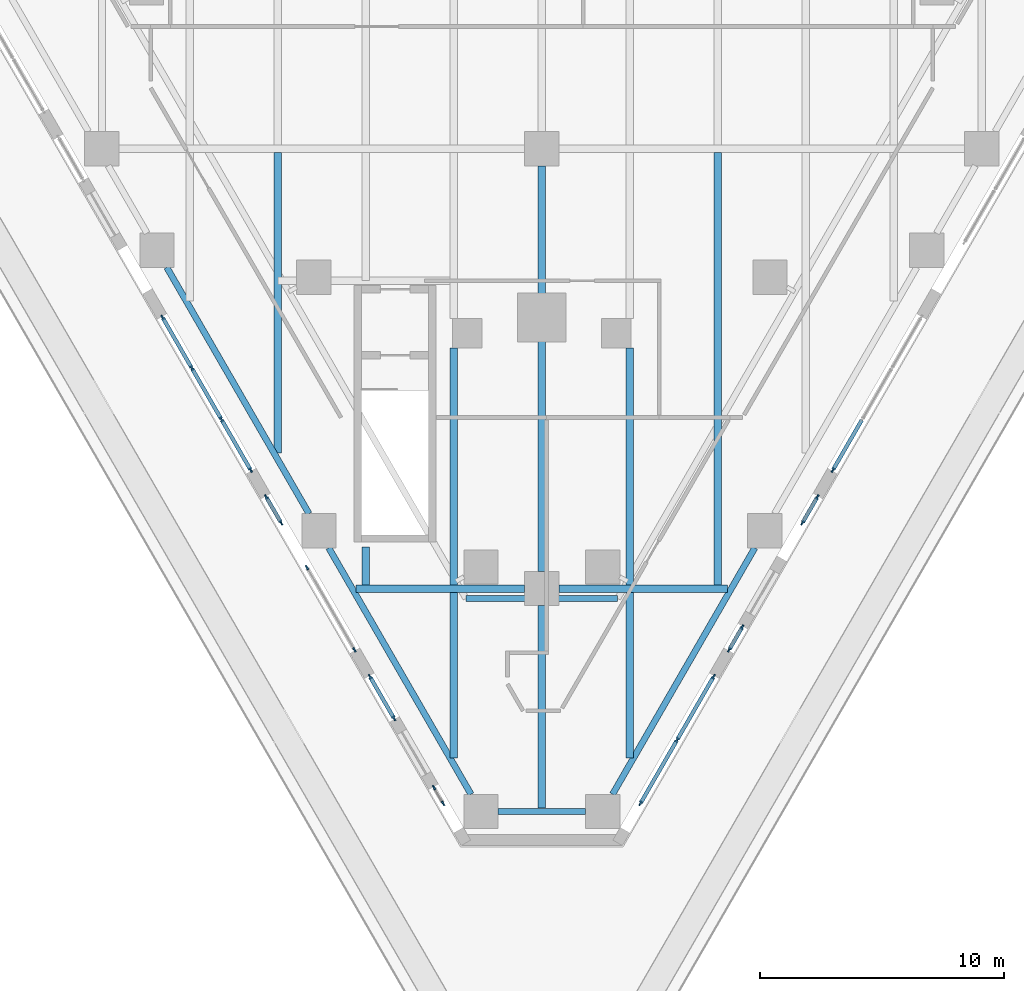
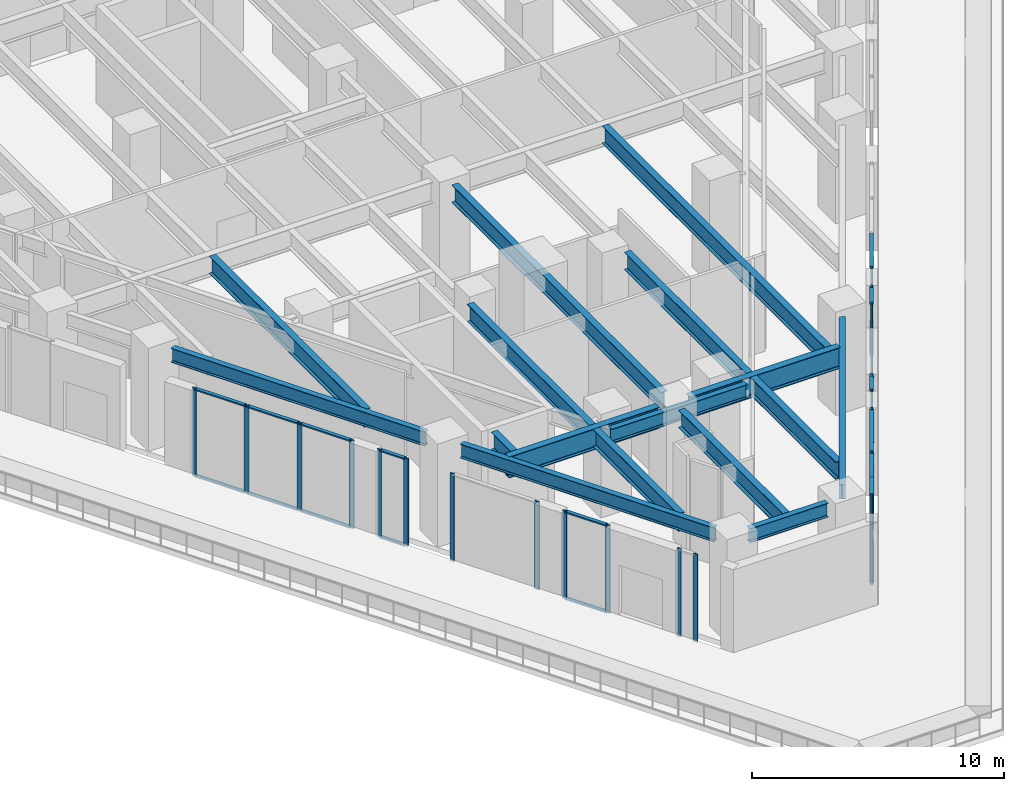
# One storey, part 2 of 31: 40 members, 16 beams, 9 elements without a shape of their own.
"""IFC4 building model written with IfcOpenShell, lengths in metres."""

from ifc_helpers import new_model, si_unit, direction, frame, origin, origin_2d, place, context, subcontext, project, spatial, rectangle, i_section, extrude, material, material_profile, profile_set, type_object, element, aggregate, save


model = new_model("IFC4")

# Units and contexts
model_context = context("Model", 3, precision=1e-05, world=origin(), true_north=direction((0.0, 1.0)))
body_context = subcontext(model_context, "Body", "Model", "MODEL_VIEW")
ifc_project = project(units=[si_unit("LENGTHUNIT", "METRE"), si_unit("AREAUNIT", "SQUARE_METRE"), si_unit("VOLUMEUNIT", "CUBIC_METRE"), si_unit("PLANEANGLEUNIT", "RADIAN"), si_unit("MASSUNIT", "GRAM", prefix="KILO")], contexts=[model_context])

# Site, building, storey
site_placement = place(None, origin())
site = spatial("IfcSite", under=ifc_project, at=site_placement, CompositionType="ELEMENT")
building_placement = place(site_placement, origin())
building = spatial("IfcBuilding", under=site, at=building_placement, Name="Aloe Facet Convention Tower", CompositionType="ELEMENT")
storey_placement = place(building_placement, frame((0.0, 0.0, 25.0)))
storey = spatial("IfcBuildingStorey", under=building, at=storey_placement, Name="L04", CompositionType="ELEMENT", Elevation=25.0)

# Beam
ifc_material_1 = material(Name="Steel S355", Category="steel")
ifc_material_profile_1 = material_profile(ifc_material_1, i_section(OverallWidth=0.25439453125, OverallDepth=0.6875, WebThickness=0.01318359375, FlangeThickness=0.02099609375, FilletRadius=0.01513671875, at=origin_2d()), Name="UB 686x254x152")
ifc_profile_set_1 = profile_set([ifc_material_profile_1], Name="Steel S355")
beam_type_1 = type_object("IfcBeamType", Name="EV-EB-UB686x254x152", PredefinedType="BEAM", material=ifc_profile_set_1)
beam_1_placement = place(storey_placement, frame((76.89501953125, 80.598876953125, 4.356201171875), z_axis=(1.0, 0.0, 0.0), x_axis=(0.0, 1.0, 0.0)))
element("IfcBeam", 1, at=beam_1_placement, inside=storey, type_object=beam_type_1, Name="EB-L05-B", PredefinedType="BEAM", context=body_context, shape_type="SweptSolid", body=[
    extrude(i_section(OverallWidth=0.25439453125, OverallDepth=0.6875, WebThickness=0.01318359375, FlangeThickness=0.02099609375, FilletRadius=0.01513671875, at=origin_2d()), origin(), (0.0, 0.0, 1.0), 6.2099609375),
])

# Curtain wall, members
ifc_material_2 = material(Name="Aluminium, anodised", Category="aluminium")
curtain_wall_type = type_object("IfcCurtainWallType", Name="EV-CW-HALL", PredefinedType="USERDEFINED", material=ifc_material_2)
curtain_wall_1_placement = place(storey_placement, origin())
curtain_wall_1 = element("IfcCurtainWall", 2, at=curtain_wall_1_placement, inside=storey, type_object=curtain_wall_type, Name="CW-L04-W12", ObjectType="UNITISED HALL GLAZING", PredefinedType="USERDEFINED")
ifc_material_3 = material(Name="Aluminium, anodised", Category="aluminium")
ifc_material_profile_2 = material_profile(ifc_material_3, rectangle(XDim=0.06494140625, YDim=0.199951171875, at=origin_2d()), Name="AL 65x200")
ifc_profile_set_2 = profile_set([ifc_material_profile_2], Name="Aluminium, anodised")
member_type_1 = type_object("IfcMemberType", Name="EV-MULL-HALL", PredefinedType="MULLION", material=ifc_profile_set_2)
member_1_placement = place(storey_placement, frame((64.48095703125, 92.100341796875, -0.25), z_axis=(0.0, 0.0, 1.0), x_axis=(0.866025403793, 0.499999999985, 0.0)))
member_1 = element("IfcMember", 3, at=member_1_placement, type_object=member_type_1, Name="CW-L04-W12 mullion 1", PredefinedType="MULLION", context=body_context, shape_type="SweptSolid", body=[
    extrude(rectangle(XDim=0.06494140625, YDim=0.199951171875, at=origin_2d()), origin(), (0.0, 0.0, 1.0), 4.262451171875),
])
member_2_placement = place(storey_placement, frame((65.67919921875, 90.02490234375, -0.25), z_axis=(0.0, 0.0, 1.0), x_axis=(0.866025403793, 0.499999999985, 0.0)))
member_2 = element("IfcMember", 4, at=member_2_placement, type_object=member_type_1, Name="CW-L04-W12 mullion 2", PredefinedType="MULLION", context=body_context, shape_type="SweptSolid", body=[
    extrude(rectangle(XDim=0.06494140625, YDim=0.199951171875, at=origin_2d()), origin(), (0.0, 0.0, 1.0), 4.262451171875),
])
member_3_placement = place(storey_placement, frame((66.8935546875, 87.92138671875, -0.25), z_axis=(0.0, 0.0, 1.0), x_axis=(0.866025403793, 0.499999999985, 0.0)))
member_3 = element("IfcMember", 5, at=member_3_placement, type_object=member_type_1, Name="CW-L04-W12 mullion 3", PredefinedType="MULLION", context=body_context, shape_type="SweptSolid", body=[
    extrude(rectangle(XDim=0.06494140625, YDim=0.199951171875, at=origin_2d()), origin(), (0.0, 0.0, 1.0), 4.262451171875),
])
member_4_placement = place(storey_placement, frame((68.091796875, 85.845947265625, -0.25), z_axis=(0.0, 0.0, 1.0), x_axis=(0.866025403793, 0.499999999985, 0.0)))
member_4 = element("IfcMember", 6, at=member_4_placement, type_object=member_type_1, Name="CW-L04-W12 mullion 4", PredefinedType="MULLION", context=body_context, shape_type="SweptSolid", body=[
    extrude(rectangle(XDim=0.06494140625, YDim=0.199951171875, at=origin_2d()), origin(), (0.0, 0.0, 1.0), 4.262451171875),
])

curtain_wall_2_placement = place(storey_placement, origin())
curtain_wall_2 = element("IfcCurtainWall", 7, at=curtain_wall_2_placement, inside=storey, type_object=curtain_wall_type, Name="CW-L04-W14-1", ObjectType="UNITISED HALL GLAZING", PredefinedType="USERDEFINED")
member_5_placement = place(storey_placement, frame((68.724365234375, 84.75048828125, -0.25), z_axis=(0.0, 0.0, 1.0), x_axis=(0.866025403942, 0.499999999728, 0.0)))
member_5 = element("IfcMember", 8, at=member_5_placement, type_object=member_type_1, Name="CW-L04-W14-1 mullion 1", PredefinedType="MULLION", context=body_context, shape_type="SweptSolid", body=[
    extrude(rectangle(XDim=0.06494140625, YDim=0.199951171875, at=origin_2d()), origin(), (0.0, 0.0, 1.0), 4.262451171875),
])
member_6_placement = place(storey_placement, frame((69.33447265625, 83.693603515625, -0.25), z_axis=(0.0, 0.0, 1.0), x_axis=(0.866025403942, 0.499999999728, 0.0)))
member_6 = element("IfcMember", 9, at=member_6_placement, type_object=member_type_1, Name="CW-L04-W14-1 mullion 2", PredefinedType="MULLION", context=body_context, shape_type="SweptSolid", body=[
    extrude(rectangle(XDim=0.06494140625, YDim=0.199951171875, at=origin_2d()), origin(), (0.0, 0.0, 1.0), 4.262451171875),
])

curtain_wall_3_placement = place(storey_placement, origin())
curtain_wall_3 = element("IfcCurtainWall", 10, at=curtain_wall_3_placement, inside=storey, type_object=curtain_wall_type, Name="CW-L04-W14-2", ObjectType="UNITISED HALL GLAZING", PredefinedType="USERDEFINED")
member_7_placement = place(storey_placement, frame((70.3916015625, 81.86279296875, -0.25), z_axis=(0.0, 0.0, 1.0), x_axis=(0.866025403758, 0.500000000045, 0.0)))
member_7 = element("IfcMember", 11, at=member_7_placement, type_object=member_type_1, Name="CW-L04-W14-2 mullion 1", PredefinedType="MULLION", context=body_context, shape_type="SweptSolid", body=[
    extrude(rectangle(XDim=0.06494140625, YDim=0.199951171875, at=origin_2d()), origin(), (0.0, 0.0, 1.0), 4.262451171875),
])
member_8_placement = place(storey_placement, frame((72.335205078125, 78.496337890625, -0.25), z_axis=(0.0, 0.0, 1.0), x_axis=(0.866025403758, 0.500000000045, 0.0)))
member_8 = element("IfcMember", 12, at=member_8_placement, type_object=member_type_1, Name="CW-L04-W14-2 mullion 2", PredefinedType="MULLION", context=body_context, shape_type="SweptSolid", body=[
    extrude(rectangle(XDim=0.06494140625, YDim=0.199951171875, at=origin_2d()), origin(), (0.0, 0.0, 1.0), 4.262451171875),
])
aggregate(curtain_wall_3, [member_7, member_8])

curtain_wall_4_placement = place(storey_placement, origin())
curtain_wall_4 = element("IfcCurtainWall", 13, at=curtain_wall_4_placement, inside=storey, type_object=curtain_wall_type, Name="CW-L04-W16A", ObjectType="UNITISED HALL GLAZING", PredefinedType="USERDEFINED")
member_9_placement = place(storey_placement, frame((72.9677734375, 77.40087890625, -0.25), z_axis=(0.0, 0.0, 1.0), x_axis=(0.866025403854, 0.499999999879, 0.0)))
member_9 = element("IfcMember", 14, at=member_9_placement, type_object=member_type_1, Name="CW-L04-W16A mullion 1", PredefinedType="MULLION", context=body_context, shape_type="SweptSolid", body=[
    extrude(rectangle(XDim=0.06494140625, YDim=0.199951171875, at=origin_2d()), origin(), (0.0, 0.0, 1.0), 4.262451171875),
])
member_10_placement = place(storey_placement, frame((73.95703125, 75.6875, -0.25), z_axis=(0.0, 0.0, 1.0), x_axis=(0.866025403854, 0.499999999879, 0.0)))
member_10 = element("IfcMember", 15, at=member_10_placement, type_object=member_type_1, Name="CW-L04-W16A mullion 2", PredefinedType="MULLION", context=body_context, shape_type="SweptSolid", body=[
    extrude(rectangle(XDim=0.06494140625, YDim=0.199951171875, at=origin_2d()), origin(), (0.0, 0.0, 1.0), 4.262451171875),
])

curtain_wall_5_placement = place(storey_placement, origin())
curtain_wall_5 = element("IfcCurtainWall", 16, at=curtain_wall_5_placement, inside=storey, type_object=curtain_wall_type, Name="CW-L04-W16B", ObjectType="UNITISED HALL GLAZING", PredefinedType="USERDEFINED")
member_11_placement = place(storey_placement, frame((75.58935546875, 72.85986328125, -0.25), z_axis=(0.0, 0.0, 1.0), x_axis=(0.866025403383, 0.500000000695, 0.0)))
member_11 = element("IfcMember", 17, at=member_11_placement, type_object=member_type_1, Name="CW-L04-W16B mullion 1", PredefinedType="MULLION", context=body_context, shape_type="SweptSolid", body=[
    extrude(rectangle(XDim=0.06494140625, YDim=0.199951171875, at=origin_2d()), origin(), (0.0, 0.0, 1.0), 4.262451171875),
])
member_12_placement = place(storey_placement, frame((75.962158203125, 72.214111328125, -0.25), z_axis=(0.0, 0.0, 1.0), x_axis=(0.866025403383, 0.500000000695, 0.0)))
member_12 = element("IfcMember", 18, at=member_12_placement, type_object=member_type_1, Name="CW-L04-W16B mullion 2", PredefinedType="MULLION", context=body_context, shape_type="SweptSolid", body=[
    extrude(rectangle(XDim=0.06494140625, YDim=0.199951171875, at=origin_2d()), origin(), (0.0, 0.0, 1.0), 4.262451171875),
])
aggregate(curtain_wall_5, [member_11, member_12])

curtain_wall_6_placement = place(storey_placement, origin())
curtain_wall_6 = element("IfcCurtainWall", 19, at=curtain_wall_6_placement, inside=storey, type_object=curtain_wall_type, Name="CW-L04-E02", ObjectType="UNITISED HALL GLAZING", PredefinedType="USERDEFINED")
member_13_placement = place(storey_placement, frame((84.037841796875, 72.214111328125, -0.25), z_axis=(0.0, 0.0, 1.0), x_axis=(-0.86602540375, 0.50000000006, 0.0)))
member_13 = element("IfcMember", 20, at=member_13_placement, type_object=member_type_1, Name="CW-L04-E02 mullion 1", PredefinedType="MULLION", context=body_context, shape_type="SweptSolid", body=[
    extrude(rectangle(XDim=0.06494140625, YDim=0.199951171875, at=origin_2d()), origin(), (0.0, 0.0, 1.0), 4.262451171875),
])
member_14_placement = place(storey_placement, frame((85.534912109375, 74.807373046875, -0.25), z_axis=(0.0, 0.0, 1.0), x_axis=(-0.86602540375, 0.50000000006, 0.0)))
member_14 = element("IfcMember", 21, at=member_14_placement, type_object=member_type_1, Name="CW-L04-E02 mullion 2", PredefinedType="MULLION", context=body_context, shape_type="SweptSolid", body=[
    extrude(rectangle(XDim=0.06494140625, YDim=0.199951171875, at=origin_2d()), origin(), (0.0, 0.0, 1.0), 4.262451171875),
])
member_15_placement = place(storey_placement, frame((87.0322265625, 77.40087890625, -0.25), z_axis=(0.0, 0.0, 1.0), x_axis=(-0.86602540375, 0.50000000006, 0.0)))
member_15 = element("IfcMember", 22, at=member_15_placement, type_object=member_type_1, Name="CW-L04-E02 mullion 3", PredefinedType="MULLION", context=body_context, shape_type="SweptSolid", body=[
    extrude(rectangle(XDim=0.06494140625, YDim=0.199951171875, at=origin_2d()), origin(), (0.0, 0.0, 1.0), 4.262451171875),
])

curtain_wall_7_placement = place(storey_placement, origin())
curtain_wall_7 = element("IfcCurtainWall", 23, at=curtain_wall_7_placement, inside=storey, type_object=curtain_wall_type, Name="CW-L04-E04A", ObjectType="UNITISED HALL GLAZING", PredefinedType="USERDEFINED")
member_16_placement = place(storey_placement, frame((87.664794921875, 78.496337890625, -0.25), z_axis=(0.0, 0.0, 1.0), x_axis=(-0.866025403619, 0.500000000287, 0.0)))
member_16 = element("IfcMember", 24, at=member_16_placement, type_object=member_type_1, Name="CW-L04-E04A mullion 1", PredefinedType="MULLION", context=body_context, shape_type="SweptSolid", body=[
    extrude(rectangle(XDim=0.06494140625, YDim=0.199951171875, at=origin_2d()), origin(), (0.0, 0.0, 1.0), 4.262451171875),
])
member_17_placement = place(storey_placement, frame((88.203857421875, 79.43017578125, -0.25), z_axis=(0.0, 0.0, 1.0), x_axis=(-0.866025403619, 0.500000000287, 0.0)))
member_17 = element("IfcMember", 25, at=member_17_placement, type_object=member_type_1, Name="CW-L04-E04A mullion 2", PredefinedType="MULLION", context=body_context, shape_type="SweptSolid", body=[
    extrude(rectangle(XDim=0.06494140625, YDim=0.199951171875, at=origin_2d()), origin(), (0.0, 0.0, 1.0), 4.262451171875),
])

curtain_wall_8_placement = place(storey_placement, origin())
curtain_wall_8 = element("IfcCurtainWall", 26, at=curtain_wall_8_placement, inside=storey, type_object=curtain_wall_type, Name="CW-L04-E04B", ObjectType="UNITISED HALL GLAZING", PredefinedType="USERDEFINED")
member_18_placement = place(storey_placement, frame((90.66552734375, 83.693603515625, -0.25), z_axis=(0.0, 0.0, 1.0), x_axis=(-0.866025403942, 0.499999999728, 0.0)))
member_18 = element("IfcMember", 27, at=member_18_placement, type_object=member_type_1, Name="CW-L04-E04B mullion 1", PredefinedType="MULLION", context=body_context, shape_type="SweptSolid", body=[
    extrude(rectangle(XDim=0.06494140625, YDim=0.199951171875, at=origin_2d()), origin(), (0.0, 0.0, 1.0), 4.262451171875),
])
member_19_placement = place(storey_placement, frame((91.275634765625, 84.75048828125, -0.25), z_axis=(0.0, 0.0, 1.0), x_axis=(-0.866025403942, 0.499999999728, 0.0)))
member_19 = element("IfcMember", 28, at=member_19_placement, type_object=member_type_1, Name="CW-L04-E04B mullion 2", PredefinedType="MULLION", context=body_context, shape_type="SweptSolid", body=[
    extrude(rectangle(XDim=0.06494140625, YDim=0.199951171875, at=origin_2d()), origin(), (0.0, 0.0, 1.0), 4.262451171875),
])

# Curtain wall, member
curtain_wall_9_placement = place(storey_placement, origin())
curtain_wall_9 = element("IfcCurtainWall", 29, at=curtain_wall_9_placement, inside=storey, type_object=curtain_wall_type, Name="CW-L04-E06", ObjectType="UNITISED HALL GLAZING", PredefinedType="USERDEFINED")
member_20_placement = place(storey_placement, frame((91.908203125, 85.845947265625, -0.25), z_axis=(0.0, 0.0, 1.0), x_axis=(-0.866025403793, 0.499999999985, 0.0)))
member_20 = element("IfcMember", 30, at=member_20_placement, type_object=member_type_1, Name="CW-L04-E06 mullion 1", PredefinedType="MULLION", context=body_context, shape_type="SweptSolid", body=[
    extrude(rectangle(XDim=0.06494140625, YDim=0.199951171875, at=origin_2d()), origin(), (0.0, 0.0, 1.0), 4.262451171875),
])

# Member
ifc_material_4 = material(Name="Aluminium, anodised", Category="aluminium")
ifc_material_profile_3 = material_profile(ifc_material_4, rectangle(XDim=0.159912109375, YDim=0.06494140625, at=origin_2d()), Name="AL 160x65")
ifc_profile_set_3 = profile_set([ifc_material_profile_3], Name="Aluminium, anodised")
member_type_2 = type_object("IfcMemberType", Name="EV-TRAN-HALL", PredefinedType="USERDEFINED", material=ifc_profile_set_3)
member_21_placement = place(storey_placement, frame((64.497314453125, 92.072021484375, -0.217529296875), z_axis=(0.499946062176, -0.866056542562, 0.0), x_axis=(0.866056542562, 0.499946062176, 0.0)))
member_21 = element("IfcMember", 31, at=member_21_placement, type_object=member_type_2, Name="CW-L04-W12 transom 1.1", ObjectType="TRANSOM", PredefinedType="USERDEFINED", context=body_context, shape_type="SweptSolid", body=[
    extrude(rectangle(XDim=0.159912109375, YDim=0.06494140625, at=origin_2d()), origin(), (0.0, 0.0, 1.0), 2.331298828125),
])

member_22_placement = place(storey_placement, frame((64.497314453125, 92.072021484375, 3.97998046875), z_axis=(0.499946062176, -0.866056542562, 0.0), x_axis=(0.866056542562, 0.499946062176, 0.0)))
member_22 = element("IfcMember", 32, at=member_22_placement, type_object=member_type_2, Name="CW-L04-W12 transom 1.2", ObjectType="TRANSOM", PredefinedType="USERDEFINED", context=body_context, shape_type="SweptSolid", body=[
    extrude(rectangle(XDim=0.159912109375, YDim=0.06494140625, at=origin_2d()), origin(), (0.0, 0.0, 1.0), 2.331298828125),
])

member_23_placement = place(storey_placement, frame((65.695556640625, 89.996826171875, -0.217529296875), z_axis=(0.499948928323, -0.866054888023, 0.0), x_axis=(0.866054888023, 0.499948928323, 0.0)))
member_23 = element("IfcMember", 33, at=member_23_placement, type_object=member_type_2, Name="CW-L04-W12 transom 2.1", ObjectType="TRANSOM", PredefinedType="USERDEFINED", context=body_context, shape_type="SweptSolid", body=[
    extrude(rectangle(XDim=0.159912109375, YDim=0.06494140625, at=origin_2d()), origin(), (0.0, 0.0, 1.0), 2.364013671875),
])

member_24_placement = place(storey_placement, frame((65.695556640625, 89.996826171875, 3.97998046875), z_axis=(0.499948928323, -0.866054888023, 0.0), x_axis=(0.866054888023, 0.499948928323, 0.0)))
member_24 = element("IfcMember", 34, at=member_24_placement, type_object=member_type_2, Name="CW-L04-W12 transom 2.2", ObjectType="TRANSOM", PredefinedType="USERDEFINED", context=body_context, shape_type="SweptSolid", body=[
    extrude(rectangle(XDim=0.159912109375, YDim=0.06494140625, at=origin_2d()), origin(), (0.0, 0.0, 1.0), 2.364013671875),
])

member_25_placement = place(storey_placement, frame((66.909912109375, 87.893310546875, -0.217529296875), z_axis=(0.500024603663, -0.866011198387, 0.0), x_axis=(0.866011198387, 0.500024603663, 0.0)))
member_25 = element("IfcMember", 35, at=member_25_placement, type_object=member_type_2, Name="CW-L04-W12 transom 3.1", ObjectType="TRANSOM", PredefinedType="USERDEFINED", context=body_context, shape_type="SweptSolid", body=[
    extrude(rectangle(XDim=0.159912109375, YDim=0.06494140625, at=origin_2d()), origin(), (0.0, 0.0, 1.0), 2.33154296875),
])

member_26_placement = place(storey_placement, frame((66.909912109375, 87.893310546875, 3.97998046875), z_axis=(0.500024603663, -0.866011198387, 0.0), x_axis=(0.866011198387, 0.500024603663, 0.0)))
member_26 = element("IfcMember", 36, at=member_26_placement, type_object=member_type_2, Name="CW-L04-W12 transom 3.2", ObjectType="TRANSOM", PredefinedType="USERDEFINED", context=body_context, shape_type="SweptSolid", body=[
    extrude(rectangle(XDim=0.159912109375, YDim=0.06494140625, at=origin_2d()), origin(), (0.0, 0.0, 1.0), 2.33154296875),
])

aggregate(curtain_wall_1, [member_1, member_2, member_3, member_4, member_21, member_22, member_23, member_24, member_25, member_26])

member_27_placement = place(storey_placement, frame((68.74072265625, 84.722412109375, -0.217529296875), z_axis=(0.50000294753, -0.86602370202, 0.0), x_axis=(0.86602370202, 0.50000294753, 0.0)))
member_27 = element("IfcMember", 37, at=member_27_placement, type_object=member_type_2, Name="CW-L04-W14-1 transom 1.1", ObjectType="TRANSOM", PredefinedType="USERDEFINED", context=body_context, shape_type="SweptSolid", body=[
    extrude(rectangle(XDim=0.159912109375, YDim=0.06494140625, at=origin_2d()), origin(), (0.0, 0.0, 1.0), 1.1552734375),
])

member_28_placement = place(storey_placement, frame((68.74072265625, 84.722412109375, 3.97998046875), z_axis=(0.50000294753, -0.86602370202, 0.0), x_axis=(0.86602370202, 0.50000294753, 0.0)))
member_28 = element("IfcMember", 38, at=member_28_placement, type_object=member_type_2, Name="CW-L04-W14-1 transom 1.2", ObjectType="TRANSOM", PredefinedType="USERDEFINED", context=body_context, shape_type="SweptSolid", body=[
    extrude(rectangle(XDim=0.159912109375, YDim=0.06494140625, at=origin_2d()), origin(), (0.0, 0.0, 1.0), 1.1552734375),
])

aggregate(curtain_wall_2, [member_5, member_6, member_27, member_28])

member_29_placement = place(storey_placement, frame((72.98388671875, 77.37255859375, -0.217529296875), z_axis=(0.500050118023, -0.865996466197, 0.0), x_axis=(0.865996466197, 0.500050118023, 0.0)))
member_29 = element("IfcMember", 39, at=member_29_placement, type_object=member_type_2, Name="CW-L04-W16A transom 1.1", ObjectType="TRANSOM", PredefinedType="USERDEFINED", context=body_context, shape_type="SweptSolid", body=[
    extrude(rectangle(XDim=0.159912109375, YDim=0.06494140625, at=origin_2d()), origin(), (0.0, 0.0, 1.0), 1.913330078125),
])

member_30_placement = place(storey_placement, frame((72.98388671875, 77.37255859375, 3.97998046875), z_axis=(0.500050118023, -0.865996466197, 0.0), x_axis=(0.865996466197, 0.500050118023, 0.0)))
member_30 = element("IfcMember", 40, at=member_30_placement, type_object=member_type_2, Name="CW-L04-W16A transom 1.2", ObjectType="TRANSOM", PredefinedType="USERDEFINED", context=body_context, shape_type="SweptSolid", body=[
    extrude(rectangle(XDim=0.159912109375, YDim=0.06494140625, at=origin_2d()), origin(), (0.0, 0.0, 1.0), 1.913330078125),
])

aggregate(curtain_wall_4, [member_9, member_10, member_29, member_30])

member_31_placement = place(storey_placement, frame((84.053955078125, 72.2421875, -0.217529296875), z_axis=(0.500011000363, 0.866019052629, 0.0), x_axis=(-0.866019052629, 0.500011000363, 0.0)))
member_31 = element("IfcMember", 41, at=member_31_placement, type_object=member_type_2, Name="CW-L04-E02 transom 1.1", ObjectType="TRANSOM", PredefinedType="USERDEFINED", context=body_context, shape_type="SweptSolid", body=[
    extrude(rectangle(XDim=0.159912109375, YDim=0.06494140625, at=origin_2d()), origin(), (0.0, 0.0, 1.0), 2.9296875),
])

member_32_placement = place(storey_placement, frame((84.053955078125, 72.2421875, 3.97998046875), z_axis=(0.500011000363, 0.866019052629, 0.0), x_axis=(-0.866019052629, 0.500011000363, 0.0)))
member_32 = element("IfcMember", 42, at=member_32_placement, type_object=member_type_2, Name="CW-L04-E02 transom 1.2", ObjectType="TRANSOM", PredefinedType="USERDEFINED", context=body_context, shape_type="SweptSolid", body=[
    extrude(rectangle(XDim=0.159912109375, YDim=0.06494140625, at=origin_2d()), origin(), (0.0, 0.0, 1.0), 2.9296875),
])

member_33_placement = place(storey_placement, frame((85.55126953125, 74.835693359375, -0.217529296875), z_axis=(0.500047088248, 0.865998215665, 0.0), x_axis=(-0.865998215665, 0.500047088248, 0.0)))
member_33 = element("IfcMember", 43, at=member_33_placement, type_object=member_type_2, Name="CW-L04-E02 transom 2.1", ObjectType="TRANSOM", PredefinedType="USERDEFINED", context=body_context, shape_type="SweptSolid", body=[
    extrude(rectangle(XDim=0.159912109375, YDim=0.06494140625, at=origin_2d()), origin(), (0.0, 0.0, 1.0), 2.929443359375),
])

member_34_placement = place(storey_placement, frame((85.55126953125, 74.835693359375, 3.97998046875), z_axis=(0.500047088248, 0.865998215665, 0.0), x_axis=(-0.865998215665, 0.500047088248, 0.0)))
member_34 = element("IfcMember", 44, at=member_34_placement, type_object=member_type_2, Name="CW-L04-E02 transom 2.2", ObjectType="TRANSOM", PredefinedType="USERDEFINED", context=body_context, shape_type="SweptSolid", body=[
    extrude(rectangle(XDim=0.159912109375, YDim=0.06494140625, at=origin_2d()), origin(), (0.0, 0.0, 1.0), 2.929443359375),
])

aggregate(curtain_wall_6, [member_13, member_14, member_15, member_31, member_32, member_33, member_34])

member_35_placement = place(storey_placement, frame((87.680908203125, 78.5244140625, -0.217529296875), z_axis=(0.500076921396, 0.865980988641, 0.0), x_axis=(-0.865980988641, 0.500076921396, 0.0)))
member_35 = element("IfcMember", 45, at=member_35_placement, type_object=member_type_2, Name="CW-L04-E04A transom 1.1", ObjectType="TRANSOM", PredefinedType="USERDEFINED", context=body_context, shape_type="SweptSolid", body=[
    extrude(rectangle(XDim=0.159912109375, YDim=0.06494140625, at=origin_2d()), origin(), (0.0, 0.0, 1.0), 1.013427734375),
])

member_36_placement = place(storey_placement, frame((87.680908203125, 78.5244140625, 3.97998046875), z_axis=(0.500076921396, 0.865980988641, 0.0), x_axis=(-0.865980988641, 0.500076921396, 0.0)))
member_36 = element("IfcMember", 46, at=member_36_placement, type_object=member_type_2, Name="CW-L04-E04A transom 1.2", ObjectType="TRANSOM", PredefinedType="USERDEFINED", context=body_context, shape_type="SweptSolid", body=[
    extrude(rectangle(XDim=0.159912109375, YDim=0.06494140625, at=origin_2d()), origin(), (0.0, 0.0, 1.0), 1.013427734375),
])

aggregate(curtain_wall_7, [member_16, member_17, member_35, member_36])

member_37_placement = place(storey_placement, frame((90.681640625, 83.721923828125, -0.217529296875), z_axis=(0.50000294753, 0.86602370202, 0.0), x_axis=(-0.86602370202, 0.50000294753, 0.0)))
member_37 = element("IfcMember", 47, at=member_37_placement, type_object=member_type_2, Name="CW-L04-E04B transom 1.1", ObjectType="TRANSOM", PredefinedType="USERDEFINED", context=body_context, shape_type="SweptSolid", body=[
    extrude(rectangle(XDim=0.159912109375, YDim=0.06494140625, at=origin_2d()), origin(), (0.0, 0.0, 1.0), 1.1552734375),
])

member_38_placement = place(storey_placement, frame((90.681640625, 83.721923828125, 3.97998046875), z_axis=(0.50000294753, 0.86602370202, 0.0), x_axis=(-0.86602370202, 0.50000294753, 0.0)))
member_38 = element("IfcMember", 48, at=member_38_placement, type_object=member_type_2, Name="CW-L04-E04B transom 1.2", ObjectType="TRANSOM", PredefinedType="USERDEFINED", context=body_context, shape_type="SweptSolid", body=[
    extrude(rectangle(XDim=0.159912109375, YDim=0.06494140625, at=origin_2d()), origin(), (0.0, 0.0, 1.0), 1.1552734375),
])

aggregate(curtain_wall_8, [member_18, member_19, member_37, member_38])

member_39_placement = place(storey_placement, frame((91.92431640625, 85.874267578125, -0.217529296875), z_axis=(0.500024603663, 0.866011198387, 0.0), x_axis=(-0.866011198387, 0.500024603663, 0.0)))
member_39 = element("IfcMember", 49, at=member_39_placement, type_object=member_type_2, Name="CW-L04-E06 transom 1.1", ObjectType="TRANSOM", PredefinedType="USERDEFINED", context=body_context, shape_type="SweptSolid", body=[
    extrude(rectangle(XDim=0.159912109375, YDim=0.06494140625, at=origin_2d()), origin(), (0.0, 0.0, 1.0), 2.33154296875),
])

member_40_placement = place(storey_placement, frame((91.92431640625, 85.874267578125, 3.97998046875), z_axis=(0.500024603663, 0.866011198387, 0.0), x_axis=(-0.866011198387, 0.500024603663, 0.0)))
member_40 = element("IfcMember", 50, at=member_40_placement, type_object=member_type_2, Name="CW-L04-E06 transom 1.2", ObjectType="TRANSOM", PredefinedType="USERDEFINED", context=body_context, shape_type="SweptSolid", body=[
    extrude(rectangle(XDim=0.159912109375, YDim=0.06494140625, at=origin_2d()), origin(), (0.0, 0.0, 1.0), 2.33154296875),
])

aggregate(curtain_wall_9, [member_20, member_39, member_40])

# Beams
ifc_material_5 = material(Name="Steel S355", Category="steel")
ifc_material_profile_4 = material_profile(ifc_material_5, i_section(OverallWidth=0.305419921875, OverallDepth=1.02587890625, WebThickness=0.02001953125, FlangeThickness=0.031005859375, FilletRadius=0.030029296875, at=origin_2d()), Name="UB 1016x305x349")
ifc_profile_set_4 = profile_set([ifc_material_profile_4], Name="Steel S355")
beam_type_2 = type_object("IfcBeamType", Name="SF-B-UB1016x305x349", PredefinedType="BEAM", material=ifc_profile_set_4)
for number, where, z_axis, x_axis, name in (
    (51, (72.4033203125, 81.0, 4.18701171875), (1.0, 0.0, 0.0), (0.0, 1.0, 0.0), "Floor beam FB-L05-023"),
    (52, (80.699951171875, 81.0, 4.18701171875), (1.0, 0.0, 0.0), (0.0, 1.0, 0.0), "Floor beam FB-L05-024"),
):
    element("IfcBeam", number, at=place(storey_placement, frame(where, z_axis=z_axis, x_axis=x_axis)), inside=storey, type_object=beam_type_2, Name=name, PredefinedType="BEAM", context=body_context, shape_type="SweptSolid", body=[
        extrude(i_section(OverallWidth=0.305419921875, OverallDepth=1.02587890625, WebThickness=0.02001953125, FlangeThickness=0.031005859375, FilletRadius=0.030029296875, at=origin_2d()), origin(), (0.0, 0.0, 1.0), 6.896728515625),
    ])
ifc_material_6 = material(Name="Steel S355", Category="steel")
ifc_material_profile_5 = material_profile(ifc_material_6, i_section(OverallWidth=0.25439453125, OverallDepth=0.6875, WebThickness=0.01318359375, FlangeThickness=0.02099609375, FilletRadius=0.01513671875, at=origin_2d()), Name="UB 686x254x152")
ifc_profile_set_5 = profile_set([ifc_material_profile_5], Name="Steel S355")
beam_type_3 = type_object("IfcBeamType", Name="SF-B-UB686x254x152", PredefinedType="BEAM", material=ifc_profile_set_5)
beam_2_placement = place(storey_placement, frame((70.476318359375, 84.06591796875, 4.356201171875), z_axis=(-0.499994831492, 0.866028387804, 0.0), x_axis=(-0.866028387804, -0.499994831492, 0.0)))
element("IfcBeam", 53, at=beam_2_placement, inside=storey, type_object=beam_type_3, Name="Floor beam FB-L05-008", PredefinedType="BEAM", context=body_context, shape_type="SweptSolid", body=[
    extrude(i_section(OverallWidth=0.25439453125, OverallDepth=0.6875, WebThickness=0.01318359375, FlangeThickness=0.02099609375, FilletRadius=0.01513671875, at=origin_2d()), origin(), (0.0, 0.0, 1.0), 11.63818359375),
])
beam_3_placement = place(storey_placement, frame((77.104248046875, 72.5859375, 4.356201171875), z_axis=(-0.499989964599, 0.866031197649, 0.0), x_axis=(-0.866031197649, -0.499989964599, 0.0)))
element("IfcBeam", 54, at=beam_3_placement, inside=storey, type_object=beam_type_3, Name="Floor beam FB-L05-009", PredefinedType="BEAM", context=body_context, shape_type="SweptSolid", body=[
    extrude(i_section(OverallWidth=0.25439453125, OverallDepth=0.6875, WebThickness=0.01318359375, FlangeThickness=0.02099609375, FilletRadius=0.01513671875, at=origin_2d()), origin(), (0.0, 0.0, 1.0), 11.639404296875),
])
beam_4_placement = place(storey_placement, frame((81.7919921875, 71.88623046875, 4.356201171875), z_axis=(-1.0, 0.0, 0.0), x_axis=(0.0, -1.0, 0.0)))
element("IfcBeam", 55, at=beam_4_placement, inside=storey, type_object=beam_type_3, Name="Floor beam FB-L05-010", PredefinedType="BEAM", context=body_context, shape_type="SweptSolid", body=[
    extrude(i_section(OverallWidth=0.25439453125, OverallDepth=0.6875, WebThickness=0.01318359375, FlangeThickness=0.02099609375, FilletRadius=0.01513671875, at=origin_2d()), origin(), (0.0, 0.0, 1.0), 3.583984375),
])
beam_5_placement = place(storey_placement, frame((88.71533203125, 82.666015625, 4.356201171875), z_axis=(-0.499989964599, -0.866031197649, 0.0), x_axis=(0.866031197649, -0.499989964599, 0.0)))
element("IfcBeam", 56, at=beam_5_placement, inside=storey, type_object=beam_type_3, Name="Floor beam FB-L05-011", PredefinedType="BEAM", context=body_context, shape_type="SweptSolid", body=[
    extrude(i_section(OverallWidth=0.25439453125, OverallDepth=0.6875, WebThickness=0.01318359375, FlangeThickness=0.02099609375, FilletRadius=0.01513671875, at=origin_2d()), origin(), (0.0, 0.0, 1.0), 11.639404296875),
])
ifc_material_7 = material(Name="Steel S355", Category="steel")
ifc_material_profile_6 = material_profile(ifc_material_7, i_section(OverallWidth=0.293701171875, OverallDepth=0.850830078125, WebThickness=0.01611328125, FlangeThickness=0.02685546875, FilletRadius=0.017822265625, at=origin_2d()), Name="UB 838x292x226")
ifc_profile_set_6 = profile_set([ifc_material_profile_6], Name="Steel S355")
beam_type_4 = type_object("IfcBeamType", Name="SF-B-UB838x292x226", PredefinedType="BEAM", material=ifc_profile_set_6)
beam_6_placement = place(storey_placement, frame((69.199951171875, 86.541259765625, 4.2744140625), z_axis=(0.0, 1.0, 0.0), x_axis=(-1.0, 0.0, 0.0)))
element("IfcBeam", 57, at=beam_6_placement, inside=storey, type_object=beam_type_4, Name="Floor beam FB-L05-040", PredefinedType="BEAM", context=body_context, shape_type="SweptSolid", body=[
    extrude(i_section(OverallWidth=0.293701171875, OverallDepth=0.850830078125, WebThickness=0.01611328125, FlangeThickness=0.02685546875, FilletRadius=0.017822265625, at=origin_2d()), origin(), (0.0, 0.0, 1.0), 12.30615234375),
])
beam_7_placement = place(storey_placement, frame((72.800048828125, 81.152587890625, 4.2744140625), z_axis=(0.0, 1.0, 0.0), x_axis=(-1.0, 0.0, 0.0)))
element("IfcBeam", 58, at=beam_7_placement, inside=storey, type_object=beam_type_4, Name="Floor beam FB-L05-044", PredefinedType="BEAM", context=body_context, shape_type="SweptSolid", body=[
    extrude(i_section(OverallWidth=0.293701171875, OverallDepth=0.850830078125, WebThickness=0.01611328125, FlangeThickness=0.02685546875, FilletRadius=0.017822265625, at=origin_2d()), origin(), (0.0, 0.0, 1.0), 1.54736328125),
])
beam_8_placement = place(storey_placement, frame((76.39990234375, 74.0703125, 4.2744140625), z_axis=(0.0, 1.0, 0.0), x_axis=(-1.0, 0.0, 0.0)))
element("IfcBeam", 59, at=beam_8_placement, inside=storey, type_object=beam_type_4, Name="Floor beam FB-L05-049", PredefinedType="BEAM", context=body_context, shape_type="SweptSolid", body=[
    extrude(i_section(OverallWidth=0.293701171875, OverallDepth=0.850830078125, WebThickness=0.01611328125, FlangeThickness=0.02685546875, FilletRadius=0.017822265625, at=origin_2d()), origin(), (0.0, 0.0, 1.0), 6.777099609375),
])
beam_9_placement = place(storey_placement, frame((76.39990234375, 81.152587890625, 4.2744140625), z_axis=(0.0, 1.0, 0.0), x_axis=(-1.0, 0.0, 0.0)))
element("IfcBeam", 60, at=beam_9_placement, inside=storey, type_object=beam_type_4, Name="Floor beam FB-L05-050", PredefinedType="BEAM", context=body_context, shape_type="SweptSolid", body=[
    extrude(i_section(OverallWidth=0.293701171875, OverallDepth=0.850830078125, WebThickness=0.01611328125, FlangeThickness=0.02685546875, FilletRadius=0.017822265625, at=origin_2d()), origin(), (0.0, 0.0, 1.0), 9.68994140625),
])
beam_10_placement = place(storey_placement, frame((80.0, 72.0234375, 4.2744140625), z_axis=(0.0, 1.0, 0.0), x_axis=(-1.0, 0.0, 0.0)))
element("IfcBeam", 61, at=beam_10_placement, inside=storey, type_object=beam_type_4, Name="Floor beam FB-L05-054", PredefinedType="BEAM", context=body_context, shape_type="SweptSolid", body=[
    extrude(i_section(OverallWidth=0.293701171875, OverallDepth=0.850830078125, WebThickness=0.01611328125, FlangeThickness=0.02685546875, FilletRadius=0.017822265625, at=origin_2d()), origin(), (0.0, 0.0, 1.0), 8.276611328125),
])
beam_11_placement = place(storey_placement, frame((80.0, 81.699951171875, 4.2744140625), z_axis=(0.0, 1.0, 0.0), x_axis=(-1.0, 0.0, 0.0)))
element("IfcBeam", 62, at=beam_11_placement, inside=storey, type_object=beam_type_4, Name="Floor beam FB-L05-055", PredefinedType="BEAM", context=body_context, shape_type="SweptSolid", body=[
    extrude(i_section(OverallWidth=0.293701171875, OverallDepth=0.850830078125, WebThickness=0.01611328125, FlangeThickness=0.02685546875, FilletRadius=0.017822265625, at=origin_2d()), origin(), (0.0, 0.0, 1.0), 16.60009765625),
])
beam_12_placement = place(storey_placement, frame((83.60009765625, 74.0703125, 4.2744140625), z_axis=(0.0, 1.0, 0.0), x_axis=(-1.0, 0.0, 0.0)))
element("IfcBeam", 63, at=beam_12_placement, inside=storey, type_object=beam_type_4, Name="Floor beam FB-L05-059", PredefinedType="BEAM", context=body_context, shape_type="SweptSolid", body=[
    extrude(i_section(OverallWidth=0.293701171875, OverallDepth=0.850830078125, WebThickness=0.01611328125, FlangeThickness=0.02685546875, FilletRadius=0.017822265625, at=origin_2d()), origin(), (0.0, 0.0, 1.0), 6.777099609375),
])
beam_13_placement = place(storey_placement, frame((83.60009765625, 81.152587890625, 4.2744140625), z_axis=(0.0, 1.0, 0.0), x_axis=(-1.0, 0.0, 0.0)))
element("IfcBeam", 64, at=beam_13_placement, inside=storey, type_object=beam_type_4, Name="Floor beam FB-L05-060", PredefinedType="BEAM", context=body_context, shape_type="SweptSolid", body=[
    extrude(i_section(OverallWidth=0.293701171875, OverallDepth=0.850830078125, WebThickness=0.01611328125, FlangeThickness=0.02685546875, FilletRadius=0.017822265625, at=origin_2d()), origin(), (0.0, 0.0, 1.0), 9.68994140625),
])
beam_14_placement = place(storey_placement, frame((87.199951171875, 81.152587890625, 4.2744140625), z_axis=(0.0, 1.0, 0.0), x_axis=(-1.0, 0.0, 0.0)))
element("IfcBeam", 65, at=beam_14_placement, inside=storey, type_object=beam_type_4, Name="Floor beam FB-L05-064", PredefinedType="BEAM", context=body_context, shape_type="SweptSolid", body=[
    extrude(i_section(OverallWidth=0.293701171875, OverallDepth=0.850830078125, WebThickness=0.01611328125, FlangeThickness=0.02685546875, FilletRadius=0.017822265625, at=origin_2d()), origin(), (0.0, 0.0, 1.0), 17.69482421875),
])

save(model, "model.ifc")
